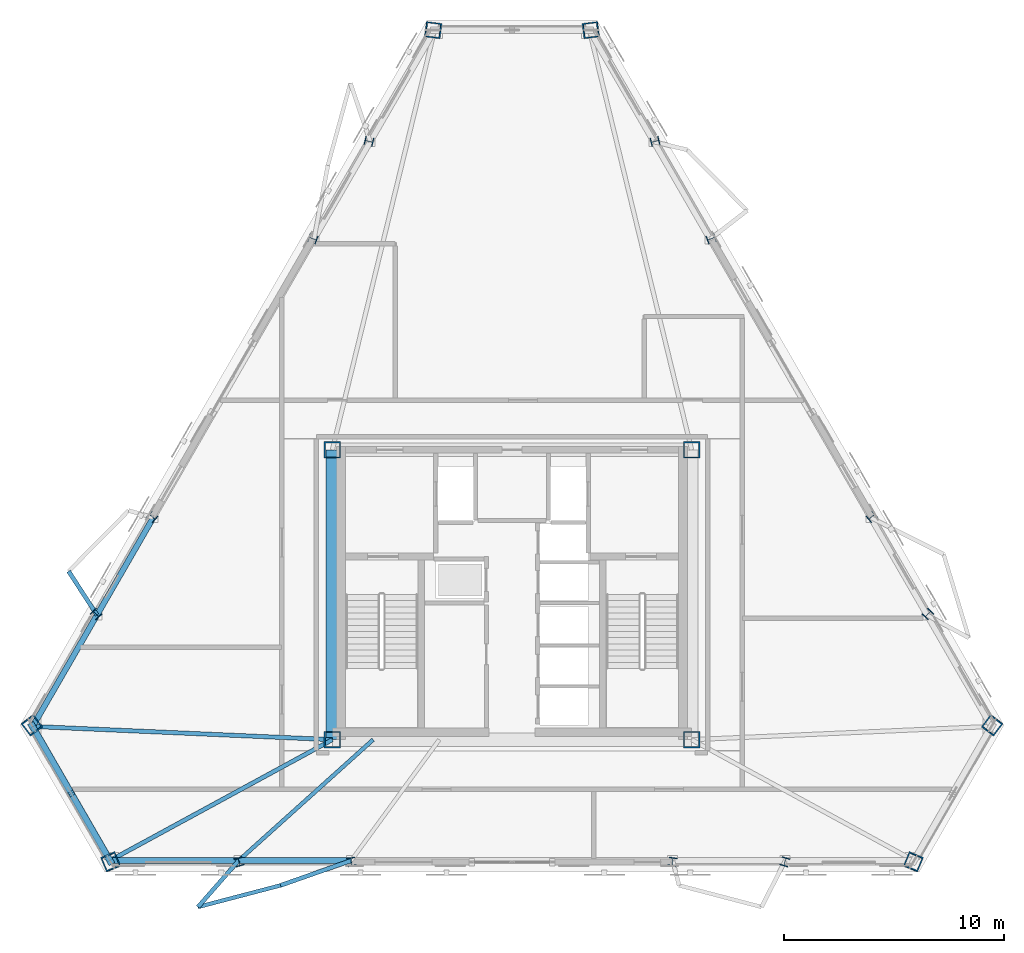
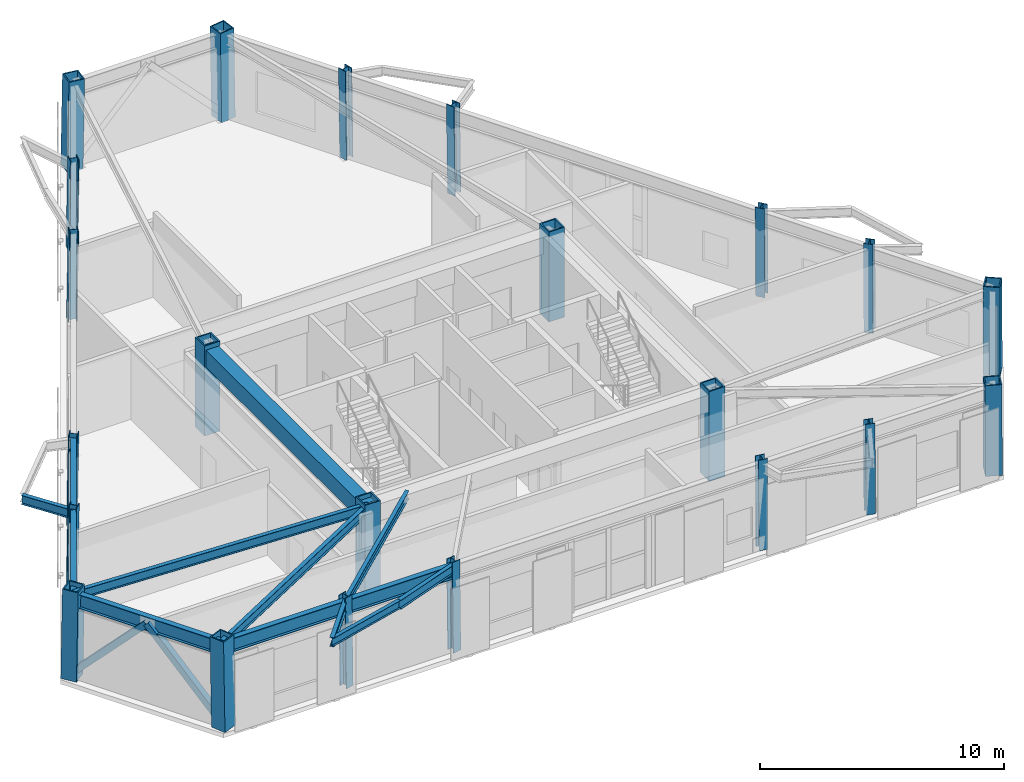
# One storey, part 1 of 14: 22 columns, 13 beams, 2 members.
"""IFC4 building model written with IfcOpenShell, lengths in metres."""

from ifc_helpers import new_model, si_unit, direction, frame, origin, origin_2d, place, context, subcontext, project, spatial, rectangle, hollow_rectangle, i_section, extrude, material, material_profile, profile_set, type_object, element, save


model = new_model("IFC4")

# Units and contexts
model_context = context("Model", 3, precision=1e-05, world=origin(), true_north=direction((0.0, 1.0)))
body_context = subcontext(model_context, "Body", "Model", "MODEL_VIEW")
ifc_project = project(units=[si_unit("LENGTHUNIT", "METRE"), si_unit("AREAUNIT", "SQUARE_METRE"), si_unit("VOLUMEUNIT", "CUBIC_METRE"), si_unit("PLANEANGLEUNIT", "RADIAN"), si_unit("MASSUNIT", "GRAM", prefix="KILO")], contexts=[model_context])

# Site, building, storey
site_placement = place(None, origin())
site = spatial("IfcSite", under=ifc_project, at=site_placement, CompositionType="ELEMENT")
building_placement = place(site_placement, origin())
building = spatial("IfcBuilding", under=site, at=building_placement, Name="Oramaril Tower", CompositionType="ELEMENT")
storey_placement = place(building_placement, frame((0.0, 0.0, 204.60009765625)))
storey = spatial("IfcBuildingStorey", under=building, at=storey_placement, Name="L54", CompositionType="ELEMENT", Elevation=204.60009765625)

# Columns
ifc_material_1 = material(Name="Steel ASTM A572 Gr 50", Category="steel")
ifc_material_profile_1 = material_profile(ifc_material_1, hollow_rectangle(XDim=0.75, YDim=0.75, WallThickness=0.06005859375, at=origin_2d()), Name="BOX750X750X60")
ifc_profile_set_1 = profile_set([ifc_material_profile_1], Name="Steel ASTM A572 Gr 50")
column_type_1 = type_object("IfcColumnType", Name="CT-CC4", PredefinedType="COLUMN", material=ifc_profile_set_1)
for number, where, z_axis, x_axis, name in (
    (1, (29.35009765625, 11.0, 0.0), (0.0, 0.0, 1.0), (1.0, 0.0, 0.0), "L54 Core Column CC-1"),
    (2, (45.64990234375, 11.0, 0.0), (0.0, 0.0, 1.0), (1.0, 0.0, 0.0), "L54 Core Column CC-2"),
    (3, (45.64990234375, 24.14990234375, 0.0), (0.0, 0.0, 1.0), (1.0, 0.0, 0.0), "L54 Core Column CC-3"),
    (4, (29.35009765625, 24.14990234375, 0.0), (0.0, 0.0, 1.0), (1.0, 0.0, 0.0), "L54 Core Column CC-4"),
):
    element("IfcColumn", number, at=place(storey_placement, frame(where, z_axis=z_axis, x_axis=x_axis)), inside=storey, type_object=column_type_1, Name=name, PredefinedType="COLUMN", context=body_context, shape_type="SweptSolid", body=[
        extrude(hollow_rectangle(XDim=0.75, YDim=0.75, WallThickness=0.06005859375, at=origin_2d()), origin(), (0.0, 0.0, 1.0), 4.5),
    ])
ifc_material_2 = material(Name="Steel ASTM A572 Gr 50", Category="steel")
ifc_material_profile_2 = material_profile(ifc_material_2, hollow_rectangle(XDim=0.699951171875, YDim=0.699951171875, WallThickness=0.054931640625, at=origin_2d()), Name="BOX700X700X55")
ifc_profile_set_2 = profile_set([ifc_material_profile_2], Name="Steel ASTM A572 Gr 50")
column_type_2 = type_object("IfcColumnType", Name="CT-TC4", PredefinedType="COLUMN", material=ifc_profile_set_2)
for number, where, z_axis, x_axis, name in (
    (5, (15.709716796875, 11.65966796875, 0.00439453125), (0.009947009712, -0.013099613883, 0.999864719407), (0.796416841834, 0.604748058322, 0.0), "L54 Tube Column TC-01"),
    (6, (19.295166015625, 5.44921875, 0.00439453125), (-0.006305210885, 0.015165119283, 0.99986512264), (-0.923370402792, -0.383910274996, 0.0), "L54 Tube Column TC-02"),
    (7, (55.704833984375, 5.44921875, 0.00439453125), (0.006305210885, 0.015165119283, 0.99986512264), (-0.923370402792, 0.383910274996, 0.0), "L54 Tube Column TC-03"),
    (8, (59.290283203125, 11.65966796875, 0.00439453125), (-0.009947009712, -0.013099613883, 0.999864719407), (0.796416841834, -0.604748058322, 0.0), "L54 Tube Column TC-04"),
    (9, (41.08544921875, 43.191162109375, 0.00439453125), (-0.016306576333, -0.002065499669, 0.999864905514), (0.125662584942, -0.992073039018, 0.0), "L54 Tube Column TC-05"),
    (10, (33.91455078125, 43.191162109375, 0.00439453125), (0.016306576333, -0.002065499669, 0.999864905514), (0.125662584942, 0.992073039018, 0.0), "L54 Tube Column TC-06"),
):
    element("IfcColumn", number, at=place(storey_placement, frame(where, z_axis=z_axis, x_axis=x_axis)), inside=storey, type_object=column_type_2, Name=name, PredefinedType="COLUMN", context=body_context, shape_type="SweptSolid", body=[
        extrude(hollow_rectangle(XDim=0.699951171875, YDim=0.699951171875, WallThickness=0.054931640625, at=origin_2d()), origin(), (0.0, 0.0, 1.0), 4.491455078125),
    ])
ifc_material_3 = material(Name="Steel ASTM A572 Gr 50", Category="steel")
ifc_material_profile_3 = material_profile(ifc_material_3, i_section(OverallWidth=0.39892578125, OverallDepth=0.385986328125, WebThickness=0.02099609375, FlangeThickness=0.033203125, at=origin_2d()), Name="W14X176")
ifc_profile_set_3 = profile_set([ifc_material_profile_3], Name="Steel ASTM A572 Gr 50")
column_type_3 = type_object("IfcColumnType", Name="CT-TF4", PredefinedType="COLUMN", material=ifc_profile_set_3)
for number, where, z_axis, x_axis, name in (
    (11, (25.12060546875, 5.44921875, 0.00439453125), (-0.004294111802, 0.015165280921, 0.999875779714), (-0.962171938298, -0.272442950271, 0.0), "L54 Tube Column TC-07"),
    (12, (30.218017578125, 5.44921875, 0.00439453125), (-0.002500384134, 0.015165373336, 0.999881872788), (-0.986679165423, -0.162678285339, 0.0), "L54 Tube Column TC-08"),
    (13, (44.781982421875, 5.44921875, 0.00439453125), (0.002500384134, 0.015165373336, 0.999881872788), (-0.986679165423, 0.162678285339, 0.0), "L54 Tube Column TC-09"),
    (14, (49.87939453125, 5.44921875, 0.00439453125), (0.004294111802, 0.015165280921, 0.999875779714), (-0.962171938298, 0.272442950271, 0.0), "L54 Tube Column TC-10"),
    (15, (56.37744140625, 16.70458984375, 0.00439453125), (-0.010925531695, -0.011306022848, 0.999876395663), (0.719103540937, -0.694902941001, 0.0), "L54 Tube Column TC-11"),
    (16, (53.828857421875, 21.119140625, 0.00439453125), (-0.011849647127, -0.009784112306, 0.999881921533), (0.636698606768, -0.771112757085, 0.0), "L54 Tube Column TC-12"),
    (17, (46.546875, 33.731689453125, 0.00439453125), (-0.014350040435, -0.005381265163, 0.999882552265), (0.351123441588, -0.936329177569, 0.0), "L54 Tube Column TC-13"),
    (18, (43.998291015625, 38.14599609375, 0.00439453125), (-0.015273997599, -0.003804910434, 0.999876106152), (0.241723025602, -0.970345288489, 0.0), "L54 Tube Column TC-14"),
    (19, (31.001708984375, 38.14599609375, 0.00439453125), (0.015273997599, -0.003804910434, 0.999876106152), (0.241723025602, 0.970345288489, 0.0), "L54 Tube Column TC-15"),
    (20, (28.453125, 33.731689453125, 0.00439453125), (0.014350040435, -0.005381265163, 0.999882552265), (0.351123441588, 0.936329177569, 0.0), "L54 Tube Column TC-16"),
    (21, (21.171142578125, 21.119140625, 0.00439453125), (0.011849647127, -0.009784112306, 0.999881921533), (0.636698606768, 0.771112757085, 0.0), "L54 Tube Column TC-17"),
    (22, (18.62255859375, 16.70458984375, 0.00439453125), (0.010925531695, -0.011306022848, 0.999876395663), (0.719103540937, 0.694902941001, 0.0), "L54 Tube Column TC-18"),
):
    element("IfcColumn", number, at=place(storey_placement, frame(where, z_axis=z_axis, x_axis=x_axis)), inside=storey, type_object=column_type_3, Name=name, PredefinedType="COLUMN", context=body_context, shape_type="SweptSolid", body=[
        extrude(i_section(OverallWidth=0.39892578125, OverallDepth=0.385986328125, WebThickness=0.02099609375, FlangeThickness=0.033203125, at=origin_2d()), origin(), (0.0, 0.0, 1.0), 4.491455078125),
    ])

# Beams
ifc_material_4 = material(Name="Steel ASTM A572 Gr 50", Category="steel")
ifc_material_profile_4 = material_profile(ifc_material_4, i_section(OverallWidth=0.19091796875, OverallDepth=0.45703125, WebThickness=0.009033203125, FlangeThickness=0.014404296875, at=origin_2d()), Name="W18X50")
ifc_profile_set_4 = profile_set([ifc_material_profile_4], Name="Steel ASTM A572 Gr 50")
beam_type_1 = type_object("IfcBeamType", Name="BT-BB1", PredefinedType="BEAM", material=ifc_profile_set_4)
beam_1_placement = place(storey_placement, frame((29.35009765625, 11.0, 4.051513671875), z_axis=(-0.999024933065, 0.044149553948, 0.0), x_axis=(-0.044149553948, -0.999024933065, 0.0)))
element("IfcBeam", 23, at=beam_1_placement, inside=storey, type_object=beam_type_1, Name="L54 Radial Primary Beam RB-01", PredefinedType="BEAM", context=body_context, shape_type="SweptSolid", body=[
    extrude(i_section(OverallWidth=0.19091796875, OverallDepth=0.45703125, WebThickness=0.009033203125, FlangeThickness=0.014404296875, at=origin_2d()), origin(), (0.0, 0.0, 1.0), 13.60888671875),
])
beam_2_placement = place(storey_placement, frame((29.35009765625, 11.0, 4.051513671875), z_axis=(-0.878528068261, -0.477690729739, 0.0), x_axis=(0.477690729739, -0.878528068261, 0.0)))
element("IfcBeam", 24, at=beam_2_placement, inside=storey, type_object=beam_type_1, Name="L54 Radial Primary Beam RB-02", PredefinedType="BEAM", context=body_context, shape_type="SweptSolid", body=[
    extrude(i_section(OverallWidth=0.19091796875, OverallDepth=0.45703125, WebThickness=0.009033203125, FlangeThickness=0.014404296875, at=origin_2d()), origin(), (0.0, 0.0, 1.0), 11.4775390625),
])
beam_3_placement = place(storey_placement, frame((25.101318359375, 5.517333984375, 4.051513671875), z_axis=(-0.65901627816, -0.752128675906, 0.0), x_axis=(0.752128675906, -0.65901627816, 0.0)))
element("IfcBeam", 25, at=beam_3_placement, inside=storey, type_object=beam_type_1, Name="L54 Balcony Column-Framed Cantilever 01.1", PredefinedType="BEAM", context=body_context, shape_type="SweptSolid", body=[
    extrude(i_section(OverallWidth=0.19091796875, OverallDepth=0.45703125, WebThickness=0.009033203125, FlangeThickness=0.014404296875, at=origin_2d()), origin(), (0.0, 0.0, 1.0), 2.802978515625),
])
beam_4_placement = place(storey_placement, frame((30.206787109375, 5.517333984375, 4.051513671875), z_axis=(-0.94340308947, -0.33164832395, 0.0), x_axis=(0.33164832395, -0.94340308947, 0.0)))
element("IfcBeam", 26, at=beam_4_placement, inside=storey, type_object=beam_type_1, Name="L54 Balcony Column-Framed Cantilever 01.2", PredefinedType="BEAM", context=body_context, shape_type="SweptSolid", body=[
    extrude(i_section(OverallWidth=0.19091796875, OverallDepth=0.45703125, WebThickness=0.009033203125, FlangeThickness=0.014404296875, at=origin_2d()), origin(), (0.0, 0.0, 1.0), 3.40087890625),
])
beam_5_placement = place(storey_placement, frame((18.671630859375, 16.65380859375, 4.051513671875), z_axis=(-0.543465054822, 0.839431792457, 0.0), x_axis=(-0.839431792457, -0.543465054822, 0.0)))
element("IfcBeam", 27, at=beam_5_placement, inside=storey, type_object=beam_type_1, Name="L54 Balcony Column-Framed Cantilever 06.2", PredefinedType="BEAM", context=body_context, shape_type="SweptSolid", body=[
    extrude(i_section(OverallWidth=0.19091796875, OverallDepth=0.45703125, WebThickness=0.009033203125, FlangeThickness=0.014404296875, at=origin_2d()), origin(), (0.0, 0.0, 1.0), 2.367431640625),
])
ifc_material_5 = material(Name="Concrete C50/60", Category="concrete")
ifc_material_profile_5 = material_profile(ifc_material_5, rectangle(XDim=0.60009765625, YDim=0.85009765625, at=origin_2d()), Name="CB600X850")
ifc_profile_set_5 = profile_set([ifc_material_profile_5], Name="Concrete C50/60")
beam_type_2 = type_object("IfcBeamType", Name="BT-CB2", PredefinedType="BEAM", material=ifc_profile_set_5)
beam_6_placement = place(storey_placement, frame((29.35009765625, 24.14990234375, 3.85498046875), z_axis=(0.0, -1.0, 0.0), x_axis=(1.0, 0.0, 0.0)))
element("IfcBeam", 28, at=beam_6_placement, inside=storey, type_object=beam_type_2, Name="L54 Core Header Beam CB-4", PredefinedType="BEAM", context=body_context, shape_type="SweptSolid", body=[
    extrude(rectangle(XDim=0.60009765625, YDim=0.85009765625, at=origin_2d()), origin(), (0.0, 0.0, 1.0), 13.14990234375),
])
ifc_material_6 = material(Name="Steel ASTM A572 Gr 50", Category="steel")
ifc_material_profile_6 = material_profile(ifc_material_6, i_section(OverallWidth=0.177978515625, OverallDepth=0.404052734375, WebThickness=0.007568359375, FlangeThickness=0.010986328125, at=origin_2d()), Name="W16X36")
ifc_profile_set_6 = profile_set([ifc_material_profile_6], Name="Steel ASTM A572 Gr 50")
beam_type_3 = type_object("IfcBeamType", Name="BT-SB1", PredefinedType="BEAM", material=ifc_profile_set_6)
beam_7_placement = place(storey_placement, frame((31.199951171875, 11.0, 4.077880859375), z_axis=(-0.743664106302, -0.668553436158, 0.0), x_axis=(0.668553436158, -0.743664106302, 0.0)))
element("IfcBeam", 29, at=beam_7_placement, inside=storey, type_object=beam_type_3, Name="L54 Secondary Floor Beam SB-01", PredefinedType="BEAM", context=body_context, shape_type="SweptSolid", body=[
    extrude(i_section(OverallWidth=0.177978515625, OverallDepth=0.404052734375, WebThickness=0.007568359375, FlangeThickness=0.010986328125, at=origin_2d()), origin(), (0.0, 0.0, 1.0), 8.20068359375),
])
beam_8_placement = place(storey_placement, frame((23.254150390625, 3.4091796875, 4.077880859375), z_axis=(0.967396513976, 0.253266627779, 0.0), x_axis=(-0.253266627779, 0.967396513976, 0.0)))
element("IfcBeam", 30, at=beam_8_placement, inside=storey, type_object=beam_type_3, Name="L54 Balcony Edge Tie Beam 01", PredefinedType="BEAM", context=body_context, shape_type="SweptSolid", body=[
    extrude(i_section(OverallWidth=0.177978515625, OverallDepth=0.404052734375, WebThickness=0.007568359375, FlangeThickness=0.010986328125, at=origin_2d()), origin(), (0.0, 0.0, 1.0), 3.870361328125),
])
ifc_material_7 = material(Name="Steel ASTM A572 Gr 50", Category="steel")
ifc_material_profile_7 = material_profile(ifc_material_7, i_section(OverallWidth=0.257080078125, OverallDepth=0.693115234375, WebThickness=0.014404296875, FlangeThickness=0.023681640625, at=origin_2d()), Name="W27X114")
ifc_profile_set_7 = profile_set([ifc_material_profile_7], Name="Steel ASTM A572 Gr 50")
beam_type_4 = type_object("IfcBeamType", Name="BT-SP4", PredefinedType="SPANDREL", material=ifc_profile_set_7)
beam_9_placement = place(storey_placement, frame((15.75439453125, 11.600830078125, 3.933349609375), z_axis=(0.500015274395, -0.866016584929, 0.0), x_axis=(0.866016584929, 0.500015274395, 0.0)))
element("IfcBeam", 31, at=beam_9_placement, inside=storey, type_object=beam_type_4, Name="L54 Perimeter Spandrel 01", PredefinedType="SPANDREL", context=body_context, shape_type="SweptSolid", body=[
    extrude(i_section(OverallWidth=0.257080078125, OverallDepth=0.693115234375, WebThickness=0.014404296875, FlangeThickness=0.023681640625, at=origin_2d()), origin(), (0.0, 0.0, 1.0), 7.024658203125),
])
beam_10_placement = place(storey_placement, frame((19.266845703125, 5.517333984375, 3.933349609375), z_axis=(1.0, 0.0, 0.0), x_axis=(0.0, 1.0, 0.0)))
element("IfcBeam", 32, at=beam_10_placement, inside=storey, type_object=beam_type_4, Name="L54 Perimeter Spandrel 02", PredefinedType="SPANDREL", context=body_context, shape_type="SweptSolid", body=[
    extrude(i_section(OverallWidth=0.257080078125, OverallDepth=0.693115234375, WebThickness=0.014404296875, FlangeThickness=0.023681640625, at=origin_2d()), origin(), (0.0, 0.0, 1.0), 5.83447265625),
])
for number, where, z_axis, x_axis, name in (
    (33, (25.101318359375, 5.517333984375, 3.933349609375), (1.0, 0.0, 0.0), (0.0, 1.0, 0.0), "L54 Perimeter Spandrel 03"),
    (34, (21.224365234375, 21.0751953125, 3.933349609375), (-0.5000066933, -0.866021539371, 0.0), (0.866021539371, -0.5000066933, 0.0), "L54 Perimeter Spandrel 17"),
):
    element("IfcBeam", number, at=place(storey_placement, frame(where, z_axis=z_axis, x_axis=x_axis)), inside=storey, type_object=beam_type_4, Name=name, PredefinedType="SPANDREL", context=body_context, shape_type="SweptSolid", body=[
        extrude(i_section(OverallWidth=0.257080078125, OverallDepth=0.693115234375, WebThickness=0.014404296875, FlangeThickness=0.023681640625, at=origin_2d()), origin(), (0.0, 0.0, 1.0), 5.10546875),
    ])
beam_11_placement = place(storey_placement, frame((18.671630859375, 16.65380859375, 3.933349609375), z_axis=(-0.499986865671, -0.86603298676, 0.0), x_axis=(0.86603298676, -0.499986865671, 0.0)))
element("IfcBeam", 35, at=beam_11_placement, inside=storey, type_object=beam_type_4, Name="L54 Perimeter Spandrel 18", PredefinedType="SPANDREL", context=body_context, shape_type="SweptSolid", body=[
    extrude(i_section(OverallWidth=0.257080078125, OverallDepth=0.693115234375, WebThickness=0.014404296875, FlangeThickness=0.023681640625, at=origin_2d()), origin(), (0.0, 0.0, 1.0), 5.834716796875),
])

# Members
ifc_material_8 = material(Name="Steel ASTM A572 Gr 50", Category="steel")
ifc_material_profile_8 = material_profile(ifc_material_8, hollow_rectangle(XDim=0.300048828125, YDim=0.300048828125, WallThickness=0.01611328125, at=origin_2d()), Name="HSS300X300X16")
ifc_profile_set_8 = profile_set([ifc_material_profile_8], Name="Steel ASTM A572 Gr 50")
member_type = type_object("IfcMemberType", Name="MT-KB2", PredefinedType="BRACE", material=ifc_profile_set_8)
for number, where, z_axis, x_axis, name in (
    (36, (15.709716796875, 11.65966796875, 0.179931640625), (0.345365615573, -0.598216704954, 0.723090150323), (0.866034781647, 0.499983756713, 0.0), "L54 Perimeter Chevron Brace KB-1A"),
    (37, (19.295166015625, 5.44921875, 0.179931640625), (-0.345365615573, 0.598216704954, 0.723090150323), (-0.866034781647, -0.499983756713, 0.0), "L54 Perimeter Chevron Brace KB-1B"),
):
    element("IfcMember", number, at=place(storey_placement, frame(where, z_axis=z_axis, x_axis=x_axis)), inside=storey, type_object=member_type, Name=name, PredefinedType="BRACE", context=body_context, shape_type="SweptSolid", body=[
        extrude(hollow_rectangle(XDim=0.300048828125, YDim=0.300048828125, WallThickness=0.01611328125, at=origin_2d()), origin(), (0.0, 0.0, 1.0), 5.19091796875),
    ])

save(model, "model.ifc")
